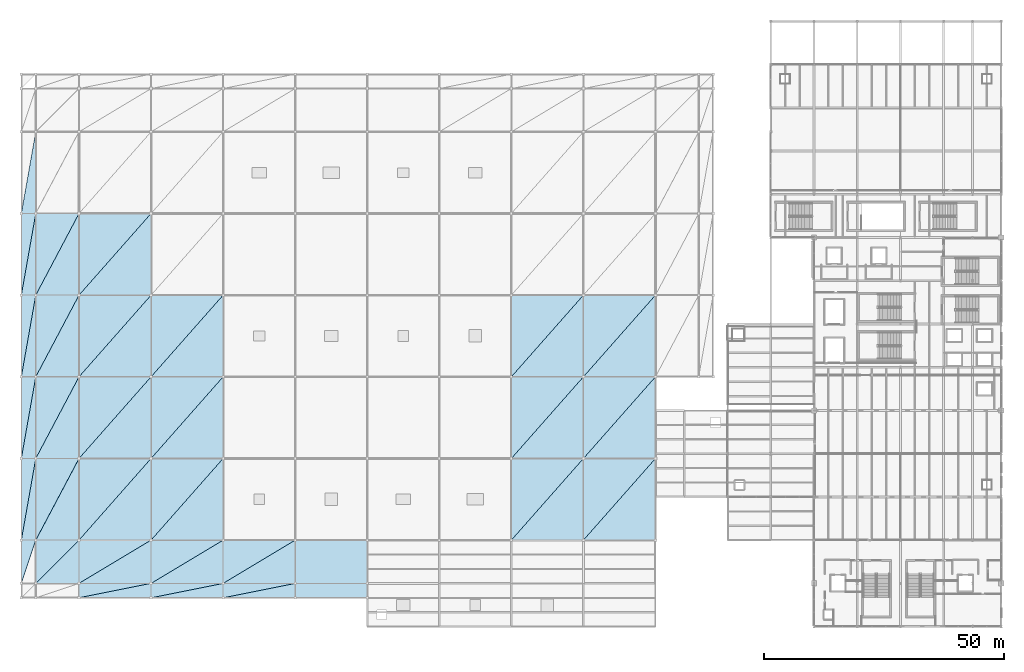
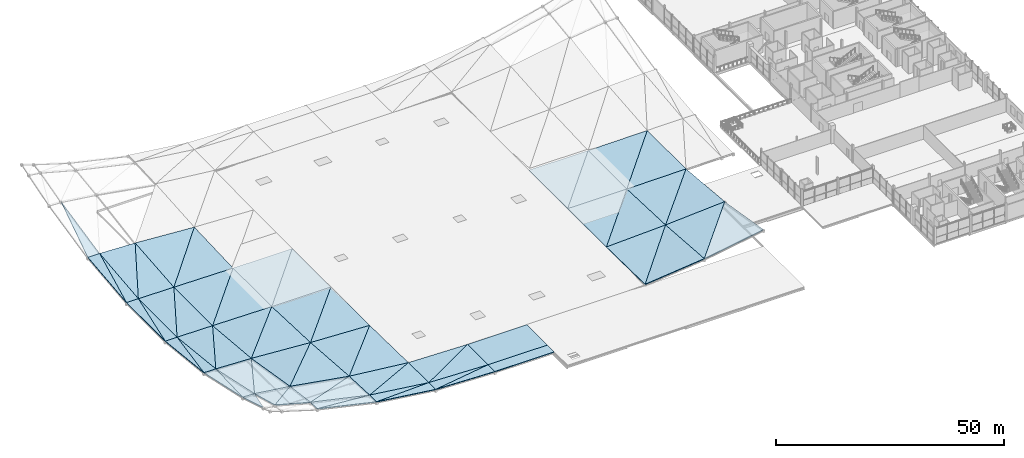
# One storey, part 55 of 69: 60 roofs.
"""IFC4 building model written with IfcOpenShell, lengths in metres."""

from ifc_helpers import new_model, si_unit, direction, frame, origin, place, context, subcontext, project, spatial, polyline, outline, extrude, material, layer, layer_set, type_object, element, save


model = new_model("IFC4")

# Units and contexts
model_context = context("Model", 3, precision=1e-05, world=origin(), true_north=direction((0.0, 1.0)))
body_context = subcontext(model_context, "Body", "Model", "MODEL_VIEW")
ifc_project = project(units=[si_unit("LENGTHUNIT", "METRE"), si_unit("AREAUNIT", "SQUARE_METRE"), si_unit("VOLUMEUNIT", "CUBIC_METRE"), si_unit("PLANEANGLEUNIT", "RADIAN"), si_unit("MASSUNIT", "GRAM", prefix="KILO")], contexts=[model_context])

# Site, building, storey
site_placement = place(None, origin())
site = spatial("IfcSite", under=ifc_project, at=site_placement, CompositionType="ELEMENT")
building_placement = place(site_placement, origin())
building = spatial("IfcBuilding", under=site, at=building_placement, Name="Qamarlyn Nura Convention Centre", CompositionType="ELEMENT")
storey_placement = place(building_placement, frame((0.0, 0.0, 15.60009765625)))
storey = spatial("IfcBuildingStorey", under=building, at=storey_placement, Name="L03", CompositionType="ELEMENT", Elevation=15.60009765625)

# Roofs
ifc_material = material(Name="High-albedo standing-seam insulated steel roof", Category="steel")
ifc_layer = layer(ifc_material, 0.199951171875, Name="ROOF-CROWN-FREE")
ifc_layer_set = layer_set([ifc_layer], Name="High-albedo standing-seam insulated steel roof")
roof_type = type_object("IfcRoofType", Name="ROOF-CROWN-FREE", PredefinedType="FREEFORM", material=ifc_layer_set)
roof_1_placement = place(storey_placement, frame((-12.0, 9.0, 8.54296875), z_axis=(0.032431581133, 0.292610116909, 0.955681700164), x_axis=(0.302791186274, 0.908373558823, -0.288400719739)))
element("IfcRoof", 1, at=roof_1_placement, inside=storey, type_object=roof_type, Name="Exhibition swept roof facet 0-1B", PredefinedType="FREEFORM", context=body_context, shape_type="SweptSolid", body=[
    extrude(outline(polyline([(0.0, 0.0), (9.907818113577202, -2.220446049250313e-16), (8.970083446323843, 2.851494044515362), (0.0, 0.0)])), origin(), (0.0, 0.0, -1.0), 0.199951171875),
])
roof_2_placement = place(storey_placement, frame((-12.0, 18.0, 5.787353515625), z_axis=(0.033151792737, 0.211088393366, 0.976904626268), x_axis=(0.999424686189, 0.0, -0.033916023286)))
element("IfcRoof", 2, at=roof_2_placement, inside=storey, type_object=roof_type, Name="Exhibition swept roof facet 0-2A", PredefinedType="FREEFORM", context=body_context, shape_type="SweptSolid", body=[
    extrude(outline(polyline([(0.0, 0.0), (3.001726934961831, 3.469446951953614e-18), (3.126312014640608, 17.39189190874882), (0.0, 0.0)])), origin(), (0.0, 0.0, -1.0), 0.199951171875),
])
roof_3_placement = place(storey_placement, frame((-12.0, 18.0, 5.787353515625), z_axis=(0.008264592347, 0.215388926235, 0.976493372721), x_axis=(0.169773079919, 0.962047452873, -0.213639415266)))
element("IfcRoof", 3, at=roof_3_placement, inside=storey, type_object=roof_type, Name="Exhibition swept roof facet 0-2B", PredefinedType="FREEFORM", context=body_context, shape_type="SweptSolid", body=[
    extrude(outline(polyline([(0.0, 0.0), (17.67064602606506, -3.7470027081099033e-16), (17.155902348030427, 2.9556189926580974), (0.0, 0.0)])), origin(), (0.0, 0.0, -1.0), 0.199951171875),
])
roof_4_placement = place(storey_placement, frame((-12.0, 35.0, 2.03759765625), z_axis=(0.008414804312, 0.106831842522, 0.99424149405), x_axis=(0.999964186155, 0.0, -0.008463238555)))
element("IfcRoof", 4, at=roof_4_placement, inside=storey, type_object=roof_type, Name="Exhibition swept roof facet 0-3A", PredefinedType="FREEFORM", context=body_context, shape_type="SweptSolid", body=[
    extrude(outline(polyline([(0.0, 0.0), (3.00010744538223, 0.0), (3.0155669060429386, 17.09784923116084), (0.0, 0.0)])), origin(), (0.0, 0.0, -1.0), 0.199951171875),
])
roof_5_placement = place(storey_placement, frame((-12.0, 35.0, 2.03759765625), z_axis=(0.001698984586, 0.108006877272, 0.994148695072), x_axis=(0.172793718859, 0.979164406868, -0.106674247336)))
element("IfcRoof", 5, at=roof_5_placement, inside=storey, type_object=roof_type, Name="Exhibition swept roof facet 0-3B", PredefinedType="FREEFORM", context=body_context, shape_type="SweptSolid", body=[
    extrude(outline(polyline([(0.0, 0.0), (17.361742196459687, -4.787836793695988e-16), (16.842814126016517, 2.9547825543268784), (0.0, 0.0)])), origin(), (0.0, 0.0, -1.0), 0.199951171875),
])
roof_6_placement = place(storey_placement, frame((-12.0, 52.0, 0.190673828125), z_axis=(0.001708981879, 0.0, 0.999998539689), x_axis=(0.999998539689, 0.0, -0.001708981879)))
element("IfcRoof", 6, at=roof_6_placement, inside=storey, type_object=roof_type, Name="Exhibition swept roof facet 0-4A", PredefinedType="FREEFORM", context=body_context, shape_type="SweptSolid", body=[
    extrude(outline(polyline([(0.0, 0.0), (3.000004380938192, 0.0), (3.000004380938192, 17.0), (0.0, 0.0)])), origin(), (0.0, 0.0, -1.0), 0.199951171875),
])
roof_7_placement = place(storey_placement, frame((-12.0, 52.0, 0.190673828125), z_axis=(0.001708981879, 0.0, 0.999998539689), x_axis=(0.173785326245, 0.984783515386, -0.000296996407)))
element("IfcRoof", 7, at=roof_7_placement, inside=storey, type_object=roof_type, Name="Exhibition swept roof facet 0-4B", PredefinedType="FREEFORM", context=body_context, shape_type="SweptSolid", body=[
    extrude(outline(polyline([(0.0, 0.0), (17.262677262975416, -2.198355429985921e-16), (16.741319761555204, 2.9543548604325145), (0.0, 0.0)])), origin(), (0.0, 0.0, -1.0), 0.199951171875),
])
roof_8_placement = place(storey_placement, frame((-12.0, 69.0, 0.190673828125), z_axis=(0.001699200886, -0.106835470815, 0.994275261129), x_axis=(0.999998539689, 0.0, -0.001708981879)))
element("IfcRoof", 8, at=roof_8_placement, inside=storey, type_object=roof_type, Name="Exhibition swept roof facet 0-5A", PredefinedType="FREEFORM", context=body_context, shape_type="SweptSolid", body=[
    extrude(outline(polyline([(0.0, 0.0), (3.000004380938192, -1.0842021724855044e-19), (2.996882651831427, 17.097855935211257), (0.0, 0.0)])), origin(), (0.0, 0.0, -1.0), 0.199951171875),
])
roof_9_placement = place(storey_placement, frame((-12.0, 69.0, 0.190673828125), z_axis=(0.008413733224, -0.108003210131, 0.994114940887), x_axis=(0.172825860834, 0.979346544724, 0.104936014622)))
element("IfcRoof", 9, at=roof_9_placement, inside=storey, type_object=roof_type, Name="Exhibition swept roof facet 0-5B", PredefinedType="FREEFORM", context=body_context, shape_type="SweptSolid", body=[
    extrude(outline(polyline([(0.0, 0.0), (17.358513277642384, -9.020562075079397e-17), (16.842700086137857, 2.955432529310694), (0.0, 0.0)])), origin(), (0.0, 0.0, -1.0), 0.199951171875),
])
roof_10_placement = place(storey_placement, frame((-12.0, 86.0, 2.03759765625), z_axis=(0.008272337175, -0.211197259855, 0.977408453957), x_axis=(0.999964186155, 0.0, -0.008463238555)))
element("IfcRoof", 10, at=roof_10_placement, inside=storey, type_object=roof_type, Name="Exhibition swept roof facet 0-6A", PredefinedType="FREEFORM", context=body_context, shape_type="SweptSolid", body=[
    extrude(outline(polyline([(0.0, 0.0), (3.00010744538223, 8.673617379884035e-19), (2.969019093992091, 17.392310344577258), (0.0, 0.0)])), origin(), (0.0, 0.0, -1.0), 0.199951171875),
])
roof_11_placement = place(storey_placement, frame((-9.0, 9.0, 8.130615234375), z_axis=(0.260058023422, 0.126718238073, 0.95724203449), x_axis=(0.965021310393, 0.0, -0.262171452463)))
element("IfcRoof", 11, at=roof_11_placement, inside=storey, type_object=roof_type, Name="Exhibition swept roof facet 1-1A", PredefinedType="FREEFORM", context=body_context, shape_type="SweptSolid", body=[
    extrude(outline(polyline([(0.0, 0.0), (9.326218916689484, 0.0), (9.638571623725301, 9.073140836499038), (0.0, 0.0)])), origin(), (0.0, 0.0, -1.0), 0.199951171875),
])
roof_12_placement = place(storey_placement, frame((-9.0, 9.0, 8.130615234375), z_axis=(0.126718238073, 0.260058023422, 0.95724203449), x_axis=(0.679901155587, 0.679901155587, -0.27471592102)))
element("IfcRoof", 12, at=roof_12_placement, inside=storey, type_object=roof_type, Name="Exhibition swept roof facet 1-1B", PredefinedType="FREEFORM", context=body_context, shape_type="SweptSolid", body=[
    extrude(outline(polyline([(0.0, 0.0), (13.237218272153294, 1.1102230246251565e-16), (6.79080960658895, 6.392438045775334), (0.0, 0.0)])), origin(), (0.0, 0.0, -1.0), 0.199951171875),
])
roof_13_placement = place(storey_placement, frame((-9.0, 18.0, 5.685546875), z_axis=(0.129481811388, 0.162846477275, 0.978118339138), x_axis=(0.991351473464, 0.0, -0.131233593492)))
element("IfcRoof", 13, at=roof_13_placement, inside=storey, type_object=roof_type, Name="Exhibition swept roof facet 1-2A", PredefinedType="FREEFORM", context=body_context, shape_type="SweptSolid", body=[
    extrude(outline(polyline([(0.0, 0.0), (9.078515784672023, -2.7755575615628914e-17), (9.449949146331548, 17.229995977513724), (0.0, 0.0)])), origin(), (0.0, 0.0, -1.0), 0.199951171875),
])
roof_14_placement = place(storey_placement, frame((-9.0, 18.0, 5.685546875), z_axis=(0.037809577031, 0.211053467336, 0.976742990664), x_axis=(0.457984547754, 0.865081923535, -0.204654390602)))
element("IfcRoof", 14, at=roof_14_placement, inside=storey, type_object=roof_type, Name="Exhibition swept roof facet 1-2B", PredefinedType="FREEFORM", context=body_context, shape_type="SweptSolid", body=[
    extrude(outline(polyline([(0.0, 0.0), (19.651318028401842, -9.43689570931383e-16), (15.45815782728419, 7.971121765125269), (0.0, 0.0)])), origin(), (0.0, 0.0, -1.0), 0.199951171875),
])
roof_15_placement = place(storey_placement, frame((-9.0, 35.0, 2.01220703125), z_axis=(0.038522024296, 0.090536840564, 0.995147795126), x_axis=(0.999251614623, 0.0, -0.038680882543)))
element("IfcRoof", 15, at=roof_15_placement, inside=storey, type_object=roof_type, Name="Exhibition swept roof facet 1-3A", PredefinedType="FREEFORM", context=body_context, shape_type="SweptSolid", body=[
    extrude(outline(polyline([(0.0, 0.0), (9.006740512898704, 0.0), (9.066565559507616, 17.07010509572127), (0.0, 0.0)])), origin(), (0.0, 0.0, -1.0), 0.199951171875),
])
roof_16_placement = place(storey_placement, frame((-9.0, 35.0, 2.01220703125), z_axis=(0.007551799491, 0.106832578603, 0.994248344466), x_axis=(0.465633533397, 0.879530007527, -0.098042737799)))
element("IfcRoof", 16, at=roof_16_placement, inside=storey, type_object=roof_type, Name="Exhibition swept roof facet 1-3B", PredefinedType="FREEFORM", context=body_context, shape_type="SweptSolid", body=[
    extrude(outline(polyline([(0.0, 0.0), (19.328504831564675, 2.0816681711721685e-16), (15.13110089071358, 7.9615622312130485), (0.0, 0.0)])), origin(), (0.0, 0.0, -1.0), 0.199951171875),
])
roof_17_placement = place(storey_placement, frame((-9.0, 52.0, 0.185546875), z_axis=(0.007595267023, 0.0, 0.999971155543), x_axis=(0.999971155543, 0.0, -0.007595267023)))
element("IfcRoof", 17, at=roof_17_placement, inside=storey, type_object=roof_type, Name="Exhibition swept roof facet 1-4A", PredefinedType="FREEFORM", context=body_context, shape_type="SweptSolid", body=[
    extrude(outline(polyline([(0.0, 0.0), (9.00025960759746, 0.0), (9.00025960759746, 17.0), (0.0, 0.0)])), origin(), (0.0, 0.0, -1.0), 0.199951171875),
])
roof_18_placement = place(storey_placement, frame((-9.0, 52.0, 0.185546875), z_axis=(0.007595267023, 0.0, 0.999971155543), x_axis=(0.467884765797, 0.883782335394, -0.00355381224)))
element("IfcRoof", 18, at=roof_18_placement, inside=storey, type_object=roof_type, Name="Exhibition swept roof facet 1-4B", PredefinedType="FREEFORM", context=body_context, shape_type="SweptSolid", body=[
    extrude(outline(polyline([(0.0, 0.0), (19.235505530246677, -8.493639819251442e-16), (15.024299701693046, 7.954270455152146), (0.0, 0.0)])), origin(), (0.0, 0.0, -1.0), 0.199951171875),
])
roof_19_placement = place(storey_placement, frame((-9.0, 69.0, 0.185546875), z_axis=(0.007564029412, -0.090601499355, 0.995858500879), x_axis=(0.999971155543, 0.0, -0.007595267023)))
element("IfcRoof", 19, at=roof_19_placement, inside=storey, type_object=roof_type, Name="Exhibition swept roof facet 1-5A", PredefinedType="FREEFORM", context=body_context, shape_type="SweptSolid", body=[
    extrude(outline(polyline([(0.0, 0.0), (9.00025960759746, 0.0), (8.988512533233811, 17.0702058869076), (0.0, 0.0)])), origin(), (0.0, 0.0, -1.0), 0.199951171875),
])
roof_20_placement = place(storey_placement, frame((-9.0, 69.0, 0.185546875), z_axis=(0.038459828514, -0.106756582401, 0.993541078016), x_axis=(0.466512096404, 0.88118951543, 0.07662572547)))
element("IfcRoof", 20, at=roof_20_placement, inside=storey, type_object=roof_type, Name="Exhibition swept roof facet 1-5B", PredefinedType="FREEFORM", context=body_context, shape_type="SweptSolid", body=[
    extrude(outline(polyline([(0.0, 0.0), (19.29210425488926, -1.2073675392798577e-15), (15.120190921977928, 7.982262449291396), (0.0, 0.0)])), origin(), (0.0, 0.0, -1.0), 0.199951171875),
])
roof_21_placement = place(storey_placement, frame((0.0, 6.0, 5.787353515625), z_axis=(0.221510901694, 0.009522572259, 0.975111399302), x_axis=(0.975155613559, 0.0, -0.221520945613)))
element("IfcRoof", 21, at=roof_21_placement, inside=storey, type_object=roof_type, Name="Exhibition swept roof facet 2-0A", PredefinedType="FREEFORM", context=body_context, shape_type="SweptSolid", body=[
    extrude(outline(polyline([(0.0, 0.0), (15.382160335682865, 6.938893903907228e-18), (15.388650207136358, 3.0001360283249294), (0.0, 0.0)])), origin(), (0.0, 0.0, -1.0), 0.199951171875),
])
roof_22_placement = place(storey_placement, frame((0.0, 6.0, 5.787353515625), z_axis=(0.216912408094, 0.033108519098, 0.975629454854), x_axis=(0.956731942823, 0.191346388565, -0.219204354803)))
element("IfcRoof", 22, at=roof_22_placement, inside=storey, type_object=roof_type, Name="Exhibition swept roof facet 2-0B", PredefinedType="FREEFORM", context=body_context, shape_type="SweptSolid", body=[
    extrude(outline(polyline([(0.0, 0.0), (15.678372727615937, -5.551115123125783e-16), (0.5963556246668957, 2.9418913237921456), (0.0, 0.0)])), origin(), (0.0, 0.0, -1.0), 0.199951171875),
])
roof_23_placement = place(storey_placement, frame((0.0, 9.0, 5.685546875), z_axis=(0.21682528142, 0.043571405381, 0.975237576168), x_axis=(0.976164624712, 0.0, -0.217031392799)))
element("IfcRoof", 23, at=roof_23_placement, inside=storey, type_object=roof_type, Name="Exhibition swept roof facet 2-1A", PredefinedType="FREEFORM", context=body_context, shape_type="SweptSolid", body=[
    extrude(outline(polyline([(0.0, 0.0), (15.366260587880543, 0.0), (15.45352882614713, 9.008555286528988), (0.0, 0.0)])), origin(), (0.0, 0.0, -1.0), 0.199951171875),
])
roof_24_placement = place(storey_placement, frame((0.0, 9.0, 5.685546875), z_axis=(0.165910828631, 0.129414795518, 0.977612094669), x_axis=(0.838570537727, 0.503142322636, -0.208919258154)))
element("IfcRoof", 24, at=roof_24_placement, inside=storey, type_object=roof_type, Name="Exhibition swept roof facet 2-1B", PredefinedType="FREEFORM", context=body_context, shape_type="SweptSolid", body=[
    extrude(outline(polyline([(0.0, 0.0), (17.8875828867684, -1.0547118733938987e-15), (4.777188613637965, 7.719968769513699), (0.0, 0.0)])), origin(), (0.0, 0.0, -1.0), 0.199951171875),
])
roof_25_placement = place(storey_placement, frame((0.0, 18.0, 4.494140625), z_axis=(0.166852980642, 0.074494073012, 0.983163626227), x_axis=(0.985903000709, 0.0, -0.167317880671)))
element("IfcRoof", 25, at=roof_25_placement, inside=storey, type_object=roof_type, Name="Exhibition swept roof facet 2-2A", PredefinedType="FREEFORM", context=body_context, shape_type="SweptSolid", body=[
    extrude(outline(polyline([(0.0, 0.0), (15.21447849251489, -2.7755575615628914e-17), (15.429998301698907, 17.047366852221916), (0.0, 0.0)])), origin(), (0.0, 0.0, -1.0), 0.199951171875),
])
roof_26_placement = place(storey_placement, frame((0.0, 18.0, 4.494140625), z_axis=(0.065843062709, 0.163872611848, 0.984281696558), x_axis=(0.652360420948, 0.739341810408, -0.166732026207)))
element("IfcRoof", 26, at=roof_26_placement, inside=storey, type_object=roof_type, Name="Exhibition swept roof facet 2-2B", PredefinedType="FREEFORM", context=body_context, shape_type="SweptSolid", body=[
    extrude(outline(polyline([(0.0, 0.0), (22.993424368385533, -1.0824674490095276e-15), (13.040716143100862, 11.267228878582397), (0.0, 0.0)])), origin(), (0.0, 0.0, -1.0), 0.199951171875),
])
roof_27_placement = place(storey_placement, frame((0.0, 35.0, 1.663818359375), z_axis=(0.066692389106, 0.039832165413, 0.996978196268), x_axis=(0.997770042152, 0.0, -0.066745359265)))
element("IfcRoof", 27, at=roof_27_placement, inside=storey, type_object=roof_type, Name="Exhibition swept roof facet 2-3A", PredefinedType="FREEFORM", context=body_context, shape_type="SweptSolid", body=[
    extrude(outline(polyline([(0.0, 0.0), (15.033524125101552, 0.0), (15.078857520969576, 17.013502180972903), (0.0, 0.0)])), origin(), (0.0, 0.0, -1.0), 0.199951171875),
])
roof_28_placement = place(storey_placement, frame((0.0, 35.0, 1.663818359375), z_axis=(0.009028099727, 0.090600398837, 0.995846404395), x_axis=(0.659806967279, 0.747781229583, -0.074013502905)))
element("IfcRoof", 28, at=roof_28_placement, inside=storey, type_object=roof_type, Name="Exhibition swept roof facet 2-3B", PredefinedType="FREEFORM", context=body_context, shape_type="SweptSolid", body=[
    extrude(outline(polyline([(0.0, 0.0), (22.733921804204186, 1.1379786002407855e-15), (12.826752470520782, 11.263502478144183), (0.0, 0.0)])), origin(), (0.0, 0.0, -1.0), 0.199951171875),
])
roof_29_placement = place(storey_placement, frame((0.0, 52.0, 0.1171875), z_axis=(0.009065382684, 0.0, 0.999958908574), x_axis=(0.999958908574, 0.0, -0.009065382684)))
element("IfcRoof", 29, at=roof_29_placement, inside=storey, type_object=roof_type, Name="Exhibition swept roof facet 2-4A", PredefinedType="FREEFORM", context=body_context, shape_type="SweptSolid", body=[
    extrude(outline(polyline([(0.0, 0.0), (15.000616396716401, 0.0), (15.000616396716401, 17.0), (0.0, 0.0)])), origin(), (0.0, 0.0, -1.0), 0.199951171875),
])
roof_30_placement = place(storey_placement, frame((0.0, 52.0, 0.1171875), z_axis=(0.009065382684, 0.0, 0.999958908574), x_axis=(0.661609735761, 0.749824367195, -0.005997991908)))
element("IfcRoof", 30, at=roof_30_placement, inside=storey, type_object=roof_type, Name="Exhibition swept roof facet 2-4B", PredefinedType="FREEFORM", context=body_context, shape_type="SweptSolid", body=[
    extrude(outline(polyline([(0.0, 0.0), (22.67197592362512, 1.6811638886560232e-15), (12.74701424232064, 11.247827697207793), (0.0, 0.0)])), origin(), (0.0, 0.0, -1.0), 0.199951171875),
])
roof_31_placement = place(storey_placement, frame((0.0, 69.0, 0.1171875), z_axis=(0.009058156692, -0.039919408464, 0.99916184406), x_axis=(0.999958908574, 0.0, -0.009065382684)))
element("IfcRoof", 31, at=roof_31_placement, inside=storey, type_object=roof_type, Name="Exhibition swept roof facet 2-5A", PredefinedType="FREEFORM", context=body_context, shape_type="SweptSolid", body=[
    extrude(outline(polyline([(0.0, 0.0), (15.000616396716401, 0.0), (14.994459195880081, 17.013561463362937), (0.0, 0.0)])), origin(), (0.0, 0.0, -1.0), 0.199951171875),
])
roof_32_placement = place(storey_placement, frame((0.0, 69.0, 0.1171875), z_axis=(0.066472050483, -0.090403701119, 0.993684375105), x_axis=(0.661431804932, 0.749622712257, 0.023953218847)))
element("IfcRoof", 32, at=roof_32_placement, inside=storey, type_object=roof_type, Name="Exhibition swept roof facet 2-5B", PredefinedType="FREEFORM", context=body_context, shape_type="SweptSolid", body=[
    extrude(outline(polyline([(0.0, 0.0), (22.678074879595517, 4.510281037539698e-16), (12.780632895812209, 11.31580707672475), (0.0, 0.0)])), origin(), (0.0, 0.0, -1.0), 0.199951171875),
])
roof_33_placement = place(storey_placement, frame((15.0, 6.0, 2.3798828125), z_axis=(0.1273397349, 0.002825108216, 0.991855135934), x_axis=(0.991859094073, 0.0, -0.127340243067)))
element("IfcRoof", 33, at=roof_33_placement, inside=storey, type_object=roof_type, Name="Exhibition swept roof facet 3-0A", PredefinedType="FREEFORM", context=body_context, shape_type="SweptSolid", body=[
    extrude(outline(polyline([(0.0, 0.0), (15.123115863566328, 0.0), (15.124203975994881, 3.0000119719263107), (0.0, 0.0)])), origin(), (0.0, 0.0, -1.0), 0.199951171875),
])
roof_34_placement = place(storey_placement, frame((15.0, 6.0, 2.3798828125), z_axis=(0.125984028598, 0.009687353218, 0.991984969506), x_axis=(0.972833802254, 0.194566760451, -0.125451858972)))
element("IfcRoof", 34, at=roof_34_placement, inside=storey, type_object=roof_type, Name="Exhibition swept roof facet 3-0B", PredefinedType="FREEFORM", context=body_context, shape_type="SweptSolid", body=[
    extrude(outline(polyline([(0.0, 0.0), (15.418872129283669, -4.128641872824801e-16), (0.5873756287832584, 2.9420822860002134), (0.0, 0.0)])), origin(), (0.0, 0.0, -1.0), 0.199951171875),
])
roof_35_placement = place(storey_placement, frame((15.0, 9.0, 2.3505859375), z_axis=(0.125979821399, 0.012673863873, 0.991951842468), x_axis=(0.992031519104, 0.0, -0.125989940488)))
element("IfcRoof", 35, at=roof_35_placement, inside=storey, type_object=roof_type, Name="Exhibition swept roof facet 3-1A", PredefinedType="FREEFORM", context=body_context, shape_type="SweptSolid", body=[
    extrude(outline(polyline([(0.0, 0.0), (15.120487314301483, -3.469446951953614e-18), (15.134974927087065, 9.00072290780454), (0.0, 0.0)])), origin(), (0.0, 0.0, -1.0), 0.199951171875),
])
roof_36_placement = place(storey_placement, frame((15.0, 9.0, 2.3505859375), z_axis=(0.107133674358, 0.044376329578, 0.993253803009), x_axis=(0.851832186735, 0.511099312041, -0.114714510303)))
element("IfcRoof", 36, at=roof_36_placement, inside=storey, type_object=roof_type, Name="Exhibition swept roof facet 3-1B", PredefinedType="FREEFORM", context=body_context, shape_type="SweptSolid", body=[
    extrude(outline(polyline([(0.0, 0.0), (17.6091021607188, 6.591949208711867e-16), (4.6460204681500885, 7.718560610981167), (0.0, 0.0)])), origin(), (0.0, 0.0, -1.0), 0.199951171875),
])
roof_37_placement = place(storey_placement, frame((15.0, 18.0, 1.948486328125), z_axis=(0.107220332904, 0.018815593796, 0.994057228555), x_axis=(0.994233236625, 0.0, -0.107239317368)))
element("IfcRoof", 37, at=roof_37_placement, inside=storey, type_object=roof_type, Name="Exhibition swept roof facet 3-2A", PredefinedType="FREEFORM", context=body_context, shape_type="SweptSolid", body=[
    extrude(outline(polyline([(0.0, 0.0), (15.087003177357657, 0.0), (15.12151036004603, 17.003010025089495), (0.0, 0.0)])), origin(), (0.0, 0.0, -1.0), 0.199951171875),
])
roof_38_placement = place(storey_placement, frame((15.0, 18.0, 1.948486328125), z_axis=(0.043276010707, 0.07548241217, 0.996207605045), x_axis=(0.65921335025, 0.747108463617, -0.08524495553)))
element("IfcRoof", 38, at=roof_38_placement, inside=storey, type_object=roof_type, Name="Exhibition swept roof facet 3-2B", PredefinedType="FREEFORM", context=body_context, shape_type="SweptSolid", body=[
    extrude(outline(polyline([(0.0, 0.0), (22.754393542396883, -1.0477729794899915e-15), (12.810646709951959, 11.24928869996598), (0.0, 0.0)])), origin(), (0.0, 0.0, -1.0), 0.199951171875),
])
roof_39_placement = place(storey_placement, frame((15.0, 35.0, 0.660400390625), z_axis=(0.043399762423, 0.001693024034, 0.99905635191), x_axis=(0.999057783726, 0.0, -0.043399824622)))
element("IfcRoof", 39, at=roof_39_placement, inside=storey, type_object=roof_type, Name="Exhibition swept roof facet 3-3A", PredefinedType="FREEFORM", context=body_context, shape_type="SweptSolid", body=[
    extrude(outline(polyline([(0.0, 0.0), (15.014146573246874, 2.168404344971009e-19), (15.015396861163225, 17.0000243638606), (0.0, 0.0)])), origin(), (0.0, 0.0, -1.0), 0.199951171875),
])
roof_40_placement = place(storey_placement, frame((15.0, 35.0, 0.660400390625), z_axis=(8.1315335e-05, 0.039921046131, 0.999202833995), x_axis=(0.66132386954, 0.749500385478, -0.029998529043)))
element("IfcRoof", 40, at=roof_40_placement, inside=storey, type_object=roof_type, Name="Exhibition swept roof facet 3-3B", PredefinedType="FREEFORM", context=body_context, shape_type="SweptSolid", body=[
    extrude(outline(polyline([(0.0, 0.0), (22.68177619301638, -1.5785983631388945e-15), (12.761881530622091, 11.251475075611975), (0.0, 0.0)])), origin(), (0.0, 0.0, -1.0), 0.199951171875),
])
roof_41_placement = place(storey_placement, frame((15.0, 52.0, -0.018798828125), z_axis=(8.1380208e-05, 0.0, 0.999999996689), x_axis=(0.999999996689, 0.0, -8.1380208e-05)))
element("IfcRoof", 41, at=roof_41_placement, inside=storey, type_object=roof_type, Name="Exhibition swept roof facet 3-4A", PredefinedType="FREEFORM", context=body_context, shape_type="SweptSolid", body=[
    extrude(outline(polyline([(0.0, 0.0), (15.000000049670538, 0.0), (15.000000049670538, 17.000000000000004), (0.0, 0.0)])), origin(), (0.0, 0.0, -1.0), 0.199951171875),
])
roof_42_placement = place(storey_placement, frame((15.0, 52.0, -0.018798828125), z_axis=(8.1380208e-05, 0.0, 0.999999996689), x_axis=(0.661621636128, 0.749837854278, -5.3842907e-05)))
element("IfcRoof", 42, at=roof_42_placement, inside=storey, type_object=roof_type, Name="Exhibition swept roof facet 3-4B", PredefinedType="FREEFORM", context=body_context, shape_type="SweptSolid", body=[
    extrude(outline(polyline([(0.0, 0.0), (22.67156813037237, 1.7494515260449873e-15), (12.74724352272907, 11.24756785141756), (0.0, 0.0)])), origin(), (0.0, 0.0, -1.0), 0.199951171875),
])
roof_43_placement = place(storey_placement, frame((30.0, 6.0, 0.4541015625), z_axis=(0.031592295395, 0.0, 0.999500838855), x_axis=(0.999500838855, 0.0, -0.031592295395)))
element("IfcRoof", 43, at=roof_43_placement, inside=storey, type_object=roof_type, Name="Exhibition swept roof facet 4-0A", PredefinedType="FREEFORM", context=body_context, shape_type="SweptSolid", body=[
    extrude(outline(polyline([(0.0, 0.0), (15.007491156470449, 0.0), (15.007491156470449, 3.0), (0.0, 0.0)])), origin(), (0.0, 0.0, -1.0), 0.199951171875),
])
roof_44_placement = place(storey_placement, frame((30.0, 6.0, 0.4541015625), z_axis=(0.031023345591, 0.00284692474, 0.99951460572), x_axis=(0.98011002005, 0.19602200401, -0.03097938898)))
element("IfcRoof", 44, at=roof_44_placement, inside=storey, type_object=roof_type, Name="Exhibition swept roof facet 4-0B", PredefinedType="FREEFORM", context=body_context, shape_type="SweptSolid", body=[
    extrude(outline(polyline([(0.0, 0.0), (15.304404294566277, 2.634611279139776e-16), (0.5883307284885443, 2.941757972642547), (0.0, 0.0)])), origin(), (0.0, 0.0, -1.0), 0.199951171875),
])
roof_45_placement = place(storey_placement, frame((30.0, 9.0, 0.445556640625), z_axis=(0.031023471314, 0.0, 0.999518656268), x_axis=(0.999518656268, 0.0, -0.031023471314)))
element("IfcRoof", 45, at=roof_45_placement, inside=storey, type_object=roof_type, Name="Exhibition swept roof facet 4-1A", PredefinedType="FREEFORM", context=body_context, shape_type="SweptSolid", body=[
    extrude(outline(polyline([(0.0, 0.0), (15.007223633031455, 0.0), (15.007223633031455, 9.0), (0.0, 0.0)])), origin(), (0.0, 0.0, -1.0), 0.199951171875),
])
roof_46_placement = place(storey_placement, frame((30.0, 9.0, 0.445556640625), z_axis=(0.023364108736, 0.012772162506, 0.999645432285), x_axis=(0.857189375908, 0.514313625545, -0.026605796547)))
element("IfcRoof", 46, at=roof_46_placement, inside=storey, type_object=roof_type, Name="Exhibition swept roof facet 4-1B", PredefinedType="FREEFORM", context=body_context, shape_type="SweptSolid", body=[
    extrude(outline(polyline([(0.0, 0.0), (17.499050293425007, -2.377655364260711e-16), (4.631882036682752, 7.717440738499861), (0.0, 0.0)])), origin(), (0.0, 0.0, -1.0), 0.199951171875),
])
roof_47_placement = place(storey_placement, frame((45.0, 6.0, -0.02001953125), z_axis=(0.0, 0.0, 1.0), x_axis=(1.0, 0.0, 0.0)))
element("IfcRoof", 47, at=roof_47_placement, inside=storey, type_object=roof_type, Name="Exhibition eave roof panel 5-0", PredefinedType="FREEFORM", context=body_context, shape_type="SweptSolid", body=[
    extrude(outline(polyline([(0.0, 0.0), (15.0, 0.0), (15.0, 3.0), (0.0, 3.0), (0.0, 0.0)])), origin(), (0.0, 0.0, -1.0), 0.199951171875),
])
roof_48_placement = place(storey_placement, frame((45.0, 9.0, -0.02001953125), z_axis=(0.0, 0.0, 1.0), x_axis=(1.0, 0.0, 0.0)))
element("IfcRoof", 48, at=roof_48_placement, inside=storey, type_object=roof_type, Name="Exhibition eave roof panel 5-1", PredefinedType="FREEFORM", context=body_context, shape_type="SweptSolid", body=[
    extrude(outline(polyline([(0.0, 0.0), (15.0, 0.0), (15.0, 9.0), (0.0, 9.0), (0.0, 0.0)])), origin(), (0.0, 0.0, -1.0), 0.199951171875),
])
roof_49_placement = place(storey_placement, frame((90.0, 18.0, 0.33056640625), z_axis=(-0.106936313098, 0.075119962174, 0.99142403452), x_axis=(0.994233236625, 0.0, 0.107239317368)))
element("IfcRoof", 49, at=roof_49_placement, inside=storey, type_object=roof_type, Name="Exhibition swept roof facet 8-2A", PredefinedType="FREEFORM", context=body_context, shape_type="SweptSolid", body=[
    extrude(outline(polyline([(0.0, 0.0), (15.087003177357657, -1.3877787807814457e-17), (14.948869720708297, 17.048169536068656), (0.0, 0.0)])), origin(), (0.0, 0.0, -1.0), 0.199951171875),
])
roof_50_placement = place(storey_placement, frame((90.0, 18.0, 0.33056640625), z_axis=(-0.043392066871, 0.01890686448, 0.998879201409), x_axis=(0.661551630573, 0.749758514649, 0.014546814012)))
element("IfcRoof", 50, at=roof_50_placement, inside=storey, type_object=roof_type, Name="Exhibition swept roof facet 8-2B", PredefinedType="FREEFORM", context=body_context, shape_type="SweptSolid", body=[
    extrude(outline(polyline([(0.0, 0.0), (22.673967241249354, 1.0755285551056204e-15), (12.741213913860763, 11.258996787466979), (0.0, 0.0)])), origin(), (0.0, 0.0, -1.0), 0.199951171875),
])
roof_51_placement = place(storey_placement, frame((90.0, 35.0, 0.0087890625), z_axis=(-0.043365292987, 0.039883491864, 0.998262870411), x_axis=(0.999057783726, 0.0, 0.043399824622)))
element("IfcRoof", 51, at=roof_51_placement, inside=storey, type_object=roof_type, Name="Exhibition swept roof facet 8-3A", PredefinedType="FREEFORM", context=body_context, shape_type="SweptSolid", body=[
    extrude(outline(polyline([(0.0, 0.0), (15.014146573246874, 0.0), (14.984669446269857, 17.013537041947973), (0.0, 0.0)])), origin(), (0.0, 0.0, -1.0), 0.199951171875),
])
roof_52_placement = place(storey_placement, frame((90.0, 35.0, 0.0087890625), z_axis=(-8.1380091e-05, 0.001694620723, 0.999998560818), x_axis=(0.661621147248, 0.749837300215, -0.00121684879)))
element("IfcRoof", 52, at=roof_52_placement, inside=storey, type_object=roof_type, Name="Exhibition swept roof facet 8-3B", PredefinedType="FREEFORM", context=body_context, shape_type="SweptSolid", body=[
    extrude(outline(polyline([(0.0, 0.0), (22.671584882661143, 2.1673879054343037e-15), (12.747269159350061, 11.247575690528013), (0.0, 0.0)])), origin(), (0.0, 0.0, -1.0), 0.199951171875),
])
roof_53_placement = place(storey_placement, frame((90.0, 52.0, -0.02001953125), z_axis=(-8.1380208e-05, 0.0, 0.999999996689), x_axis=(0.999999996689, 0.0, 8.1380208e-05)))
element("IfcRoof", 53, at=roof_53_placement, inside=storey, type_object=roof_type, Name="Exhibition swept roof facet 8-4A", PredefinedType="FREEFORM", context=body_context, shape_type="SweptSolid", body=[
    extrude(outline(polyline([(0.0, 0.0), (15.000000049670538, 0.0), (15.000000049670538, 17.000000000000004), (0.0, 0.0)])), origin(), (0.0, 0.0, -1.0), 0.199951171875),
])
roof_54_placement = place(storey_placement, frame((90.0, 52.0, -0.02001953125), z_axis=(-8.1380208e-05, 0.0, 0.999999996689), x_axis=(0.661621636128, 0.749837854278, 5.3842907e-05)))
element("IfcRoof", 54, at=roof_54_placement, inside=storey, type_object=roof_type, Name="Exhibition swept roof facet 8-4B", PredefinedType="FREEFORM", context=body_context, shape_type="SweptSolid", body=[
    extrude(outline(polyline([(0.0, 0.0), (22.67156813037237, 1.7494515260449873e-15), (12.74724352272907, 11.24756785141756), (0.0, 0.0)])), origin(), (0.0, 0.0, -1.0), 0.199951171875),
])
roof_55_placement = place(storey_placement, frame((105.0, 18.0, 1.948486328125), z_axis=(-0.165108424484, 0.161975016646, 0.972884012689), x_axis=(0.985903000709, 0.0, 0.167317880671)))
element("IfcRoof", 55, at=roof_55_placement, inside=storey, type_object=roof_type, Name="Exhibition swept roof facet 9-2A", PredefinedType="FREEFORM", context=body_context, shape_type="SweptSolid", body=[
    extrude(outline(polyline([(0.0, 0.0), (15.21447849251489, 5.551115123125783e-17), (14.740914969415893, 17.22749145165606), (0.0, 0.0)])), origin(), (0.0, 0.0, -1.0), 0.199951171875),
])
roof_56_placement = place(storey_placement, frame((105.0, 18.0, 1.948486328125), z_axis=(-0.066555432119, 0.075385671932, 0.994930839266), x_axis=(0.661569488512, 0.749778753647, -0.012555176165)))
element("IfcRoof", 56, at=roof_56_placement, inside=storey, type_object=roof_type, Name="Exhibition swept roof facet 9-2B", PredefinedType="FREEFORM", context=body_context, shape_type="SweptSolid", body=[
    extrude(outline(polyline([(0.0, 0.0), (22.67335519618639, -3.469446951953614e-16), (12.762410957866283, 11.303983011528276), (0.0, 0.0)])), origin(), (0.0, 0.0, -1.0), 0.199951171875),
])
roof_57_placement = place(storey_placement, frame((105.0, 35.0, 0.660400390625), z_axis=(-0.066472050483, 0.090403701119, 0.993684375105), x_axis=(0.997770042152, 0.0, 0.066745359265)))
element("IfcRoof", 57, at=roof_57_placement, inside=storey, type_object=roof_type, Name="Exhibition swept roof facet 9-3A", PredefinedType="FREEFORM", context=body_context, shape_type="SweptSolid", body=[
    extrude(outline(polyline([(0.0, 0.0), (15.033524125101552, 0.0), (14.930293692742124, 17.06989778800699), (0.0, 0.0)])), origin(), (0.0, 0.0, -1.0), 0.199951171875),
])
roof_58_placement = place(storey_placement, frame((105.0, 35.0, 0.660400390625), z_axis=(-0.009058156692, 0.039919408464, 0.99916184406), x_axis=(0.661431804932, 0.749622712257, -0.023953218847)))
element("IfcRoof", 58, at=roof_58_placement, inside=storey, type_object=roof_type, Name="Exhibition swept roof facet 9-3B", PredefinedType="FREEFORM", context=body_context, shape_type="SweptSolid", body=[
    extrude(outline(polyline([(0.0, 0.0), (22.678074879595517, 5.551115123125783e-16), (12.7598551158893, 11.253773100621158), (0.0, 0.0)])), origin(), (0.0, 0.0, -1.0), 0.199951171875),
])
roof_59_placement = place(storey_placement, frame((105.0, 52.0, -0.018798828125), z_axis=(-0.009065382684, 0.0, 0.999958908574), x_axis=(0.999958908574, 0.0, 0.009065382684)))
element("IfcRoof", 59, at=roof_59_placement, inside=storey, type_object=roof_type, Name="Exhibition swept roof facet 9-4A", PredefinedType="FREEFORM", context=body_context, shape_type="SweptSolid", body=[
    extrude(outline(polyline([(0.0, 0.0), (15.000616396716401, 0.0), (15.000616396716401, 17.0), (0.0, 0.0)])), origin(), (0.0, 0.0, -1.0), 0.199951171875),
])
roof_60_placement = place(storey_placement, frame((105.0, 52.0, -0.018798828125), z_axis=(-0.009065382684, 0.0, 0.999958908574), x_axis=(0.661609735761, 0.749824367195, 0.005997991908)))
element("IfcRoof", 60, at=roof_60_placement, inside=storey, type_object=roof_type, Name="Exhibition swept roof facet 9-4B", PredefinedType="FREEFORM", context=body_context, shape_type="SweptSolid", body=[
    extrude(outline(polyline([(0.0, 0.0), (22.67197592362512, 1.6811638886560232e-15), (12.74701424232064, 11.247827697207793), (0.0, 0.0)])), origin(), (0.0, 0.0, -1.0), 0.199951171875),
])

save(model, "model.ifc")
